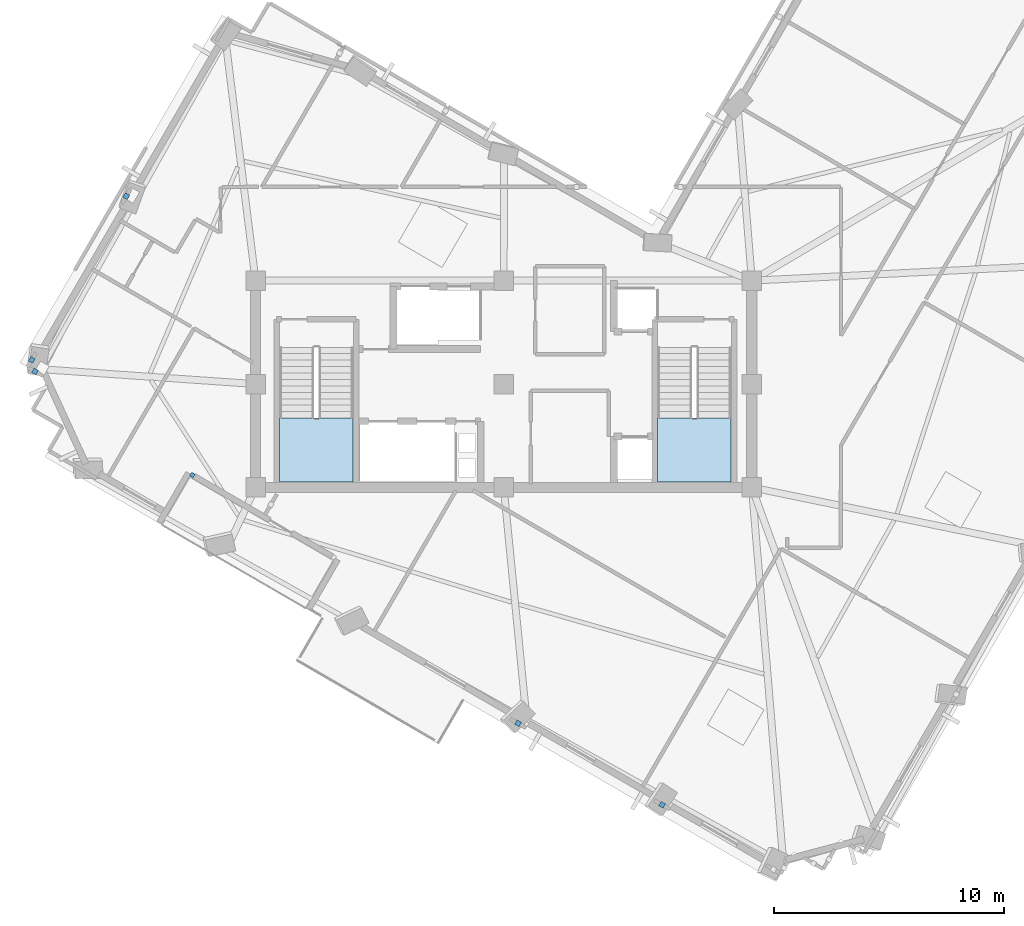
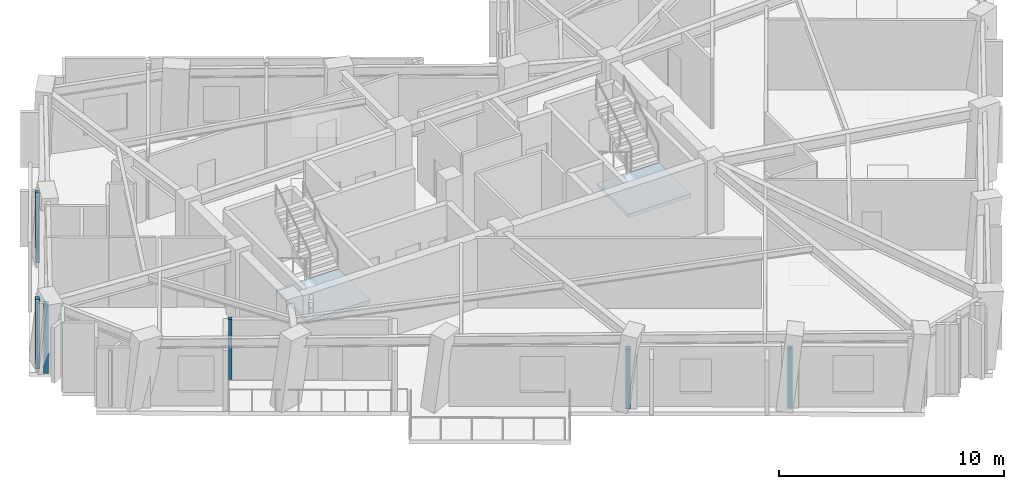
# One storey, part 3 of 12: 6 plates, 2 slabs, 2 elements without a shape of their own.
"""IFC4 building model written with IfcOpenShell, lengths in metres."""

from ifc_helpers import new_model, si_unit, direction, frame, origin, origin_2d, place, context, subcontext, project, spatial, polyline, rectangle, outline, extrude, material, layer, layer_set, type_object, element, aggregate, save


model = new_model("IFC4")

# Units and contexts
model_context = context("Model", 3, precision=1e-05, world=origin(), true_north=direction((0.0, 1.0)))
body_context = subcontext(model_context, "Body", "Model", "MODEL_VIEW")
ifc_project = project(units=[si_unit("LENGTHUNIT", "METRE"), si_unit("AREAUNIT", "SQUARE_METRE"), si_unit("VOLUMEUNIT", "CUBIC_METRE"), si_unit("PLANEANGLEUNIT", "RADIAN"), si_unit("MASSUNIT", "GRAM", prefix="KILO")], contexts=[model_context])

# Site, building, storey
site_placement = place(None, origin())
site = spatial("IfcSite", under=ifc_project, at=site_placement, CompositionType="ELEMENT")
building_placement = place(site_placement, origin())
building = spatial("IfcBuilding", under=site, at=building_placement, Name="Gaonmaruhae Medical Tower", CompositionType="ELEMENT")
storey_placement = place(building_placement, frame((0.0, 0.0, 280.60009765625)))
storey = spatial("IfcBuildingStorey", under=building, at=storey_placement, Name="L67", CompositionType="ELEMENT", Elevation=280.60009765625)

# Plates
ifc_material_1 = material(Name="Anodised aluminium 6063-T6", Category="aluminium")
ifc_layer_1 = layer(ifc_material_1, 0.011962890625)
ifc_layer_set_1 = layer_set([ifc_layer_1], Name="Anodised aluminium 6063-T6")
plate_type = type_object("IfcPlateType", Name="PP-01 Interior Partition Corner Stiffener Plate", PredefinedType="SHEET", material=ifc_layer_set_1)
plate_placement = place(storey_placement, frame((11.24853515625, 8.339599609375, 0.0), z_axis=(0.0, 0.0, 1.0), x_axis=(-0.86471344052, 0.502265533143, 0.0)))
element("IfcPlate", 1, at=plate_placement, inside=storey, type_object=plate_type, Name="L67 Partition End Jamb Post Plate PLT-L67-ENDP-TERB-1", PredefinedType="SHEET", context=body_context, shape_type="SweptSolid", body=[
    extrude(rectangle(XDim=0.179931640625, YDim=0.179931640625, at=origin_2d()), origin(), (0.0, 0.0, 1.0), 3.264892578125),
])
for number, where, z_axis, x_axis, name in (
    (2, (31.693603515625, -6.010986328125, 0.0), (0.0, 0.0, 1.0), (-0.865160173452, 0.501495637342, 0.0), "L67 Partition Corner Stiffener Plate PLT-L67-JGP-PW011"),
    (3, (25.427978515625, -2.46337890625, 0.0), (0.0, 0.0, 1.0), (-0.864695907619, 0.502295717031, 0.0), "L67 Partition Corner Stiffener Plate PLT-L67-JGP-PW036"),
):
    element("IfcPlate", number, at=place(storey_placement, frame(where, z_axis=z_axis, x_axis=x_axis)), inside=storey, type_object=plate_type, Name=name, PredefinedType="SHEET", context=body_context, shape_type="SweptSolid", body=[
        extrude(rectangle(XDim=0.219970703125, YDim=0.219970703125, at=origin_2d()), origin(), (0.0, 0.0, 1.0), 3.264892578125),
    ])
for number, where, z_axis, x_axis, name in (
    (4, (4.402099609375, 12.848388671875, 0.0), (0.0, 0.0, 1.0), (-0.864362582332, 0.50286909456, 0.0), "L67 Partition Corner Stiffener Plate PLT-L67-JGP-PW042"),
    (5, (4.261474609375, 13.35302734375, 0.0), (0.0, 0.0, 1.0), (0.50217497781, 0.864766032902, 0.0), "L67 Partition Corner Stiffener Plate PLT-L67-JGP-PW043"),
    (6, (8.37451171875, 20.47509765625, 0.0), (0.0, 0.0, 1.0), (0.502039134484, 0.864844903694, 0.0), "L67 Partition Corner Stiffener Plate PLT-L67-JGP-PW071"),
):
    element("IfcPlate", number, at=place(storey_placement, frame(where, z_axis=z_axis, x_axis=x_axis)), inside=storey, type_object=plate_type, Name=name, PredefinedType="SHEET", context=body_context, shape_type="SweptSolid", body=[
        extrude(rectangle(XDim=0.219970703125, YDim=0.219970703125, at=origin_2d()), origin(), (0.0, 0.0, 1.0), 3.780029296875),
    ])

# Stair, slab
ifc_material_2 = material(Name="Concrete C40/50", Category="concrete")
stair_type = type_object("IfcStairType", Name="ST-T1 Primary Core Escape Dogleg Stair", PredefinedType="TWO_QUARTER_TURN_STAIR", material=ifc_material_2)
stair_1_placement = place(storey_placement, origin())
stair_1 = element("IfcStair", 7, at=stair_1_placement, inside=storey, type_object=stair_type, Name="L67 Protected Escape Stair ST-01", PredefinedType="TWO_QUARTER_TURN_STAIR")
ifc_layer_2 = layer(ifc_material_2, 0.199951171875)
ifc_layer_set_2 = layer_set([ifc_layer_2], Name="Concrete C40/50")
slab_type = type_object("IfcSlabType", Name="SL-200 Stair & Ramp Intermediate Concrete Landing", PredefinedType="LANDING", material=ifc_layer_set_2)
slab_1_placement = place(storey_placement, frame((0.0, 0.0, 1.7998046875)))
slab_1 = element("IfcSlab", 8, at=slab_1_placement, type_object=slab_type, Name="ST-01 landing 1", PredefinedType="LANDING", context=body_context, shape_type="SweptSolid", body=[
    extrude(outline(polyline([(15.050048828125, 10.820068359375), (15.050048828125, 8.029052734375), (18.25, 8.029052734375), (18.25, 10.820068359375), (15.050048828125, 10.820068359375)])), origin(), (0.0, 0.0, 1.0), 0.2001953125),
])
aggregate(stair_1, [slab_1])

stair_2_placement = place(storey_placement, origin())
stair_2 = element("IfcStair", 9, at=stair_2_placement, inside=storey, type_object=stair_type, Name="L67 Protected Escape Stair ST-02", PredefinedType="TWO_QUARTER_TURN_STAIR")
slab_2_placement = place(storey_placement, frame((0.0, 0.0, 1.7998046875)))
slab_2 = element("IfcSlab", 10, at=slab_2_placement, type_object=slab_type, Name="ST-02 landing 1", PredefinedType="LANDING", context=body_context, shape_type="SweptSolid", body=[
    extrude(outline(polyline([(31.5, 10.820068359375), (31.5, 8.029052734375), (34.699951171875, 8.029052734375), (34.699951171875, 10.820068359375), (31.5, 10.820068359375)])), origin(), (0.0, 0.0, 1.0), 0.2001953125),
])
aggregate(stair_2, [slab_2])

save(model, "model.ifc")
